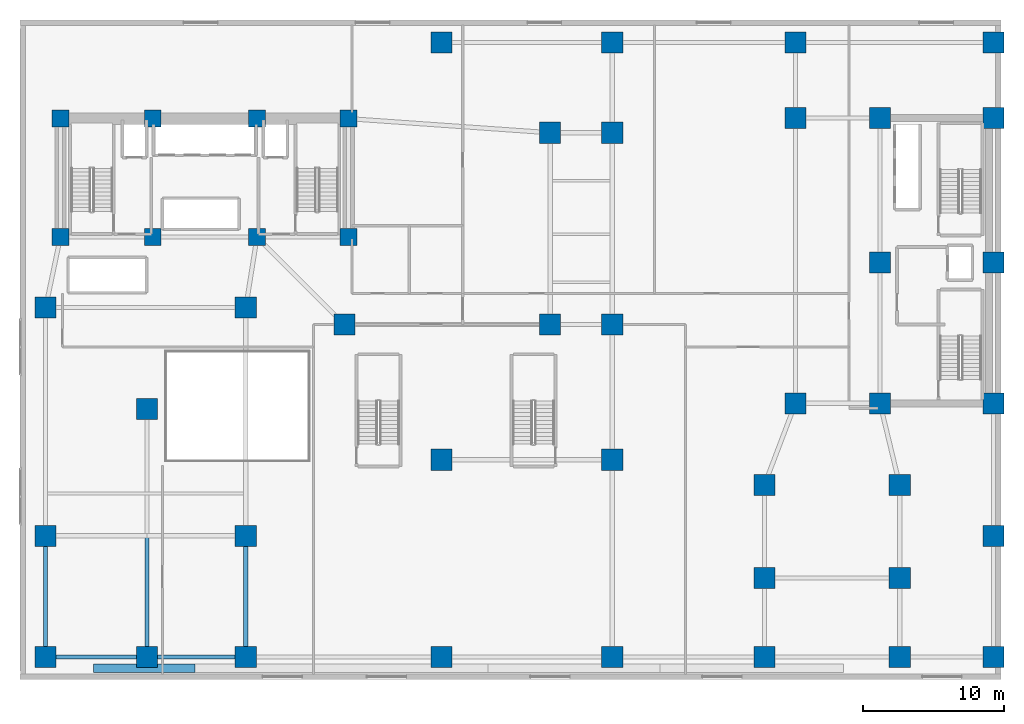
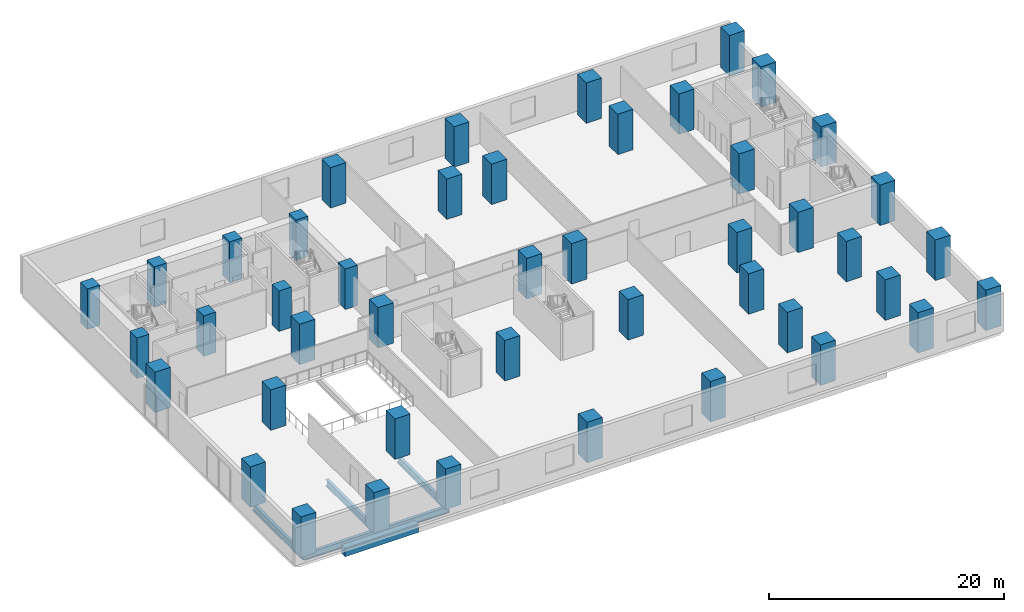
# One storey, part 1 of 14: 45 columns, 6 beams.
"""IFC4 building model written with IfcOpenShell, lengths in metres."""

import ifcopenshell
import ifcopenshell.guid

model = None  # the IFC model being written
_history = None  # IfcOwnerHistory: only IFC2X3 demands one
_inside = {}  # id of a spatial element -> (the spatial element, [elements in it])
_under = {}  # id of a project, library or spatial element -> (it, [spatial elements below it])
_declared = {}  # id of a project -> (the project, [libraries it declares])
_typed = {}  # id of a type object -> (the type object, [elements of that type])
_made_of = {}  # id of a material, layer set ... -> (it, [elements and type objects made of it])


def new_model(schema):
    """Start an empty IFC model of exactly this schema.

    Asked for "IFC4X3", IfcOpenShell would pick the latest addendum, in which some entities
    have other attributes; the version numbers below select the first issue.
    IFC2X3 requires an IfcOwnerHistory on every rooted entity: one is made here for all.
    """
    global model, _history
    if schema == "IFC4X3":
        model = ifcopenshell.file(schema_version=(4, 3, 0, 0))
    else:
        model = ifcopenshell.file(schema=schema)
    _inside.clear()
    _under.clear()
    _declared.clear()
    _typed.clear()
    _made_of.clear()
    _history = None
    if model.schema == "IFC2X3":
        org = make("IfcOrganization", Name="unknown")
        user = make(
            "IfcPersonAndOrganization",
            ThePerson=make("IfcPerson", FamilyName="unknown"),
            TheOrganization=org,
        )
        app = make(
            "IfcApplication",
            ApplicationDeveloper=org,
            Version="unknown",
            ApplicationFullName="unknown",
            ApplicationIdentifier="unknown",
        )
        _history = make(
            "IfcOwnerHistory",
            OwningUser=user,
            OwningApplication=app,
            ChangeAction="ADDED",
            CreationDate=0,
        )
    return model


def make(cls, **values):
    """One entity of the class cls with the attributes given. An attribute that is None is left unset."""
    return model.create_entity(
        cls, **{name: value for name, value in values.items() if value is not None}
    )


def rooted(cls, **values):
    """An entity with a GlobalId (a new one), such as an element, a storey or a relation."""
    return make(cls, GlobalId=ifcopenshell.guid.new(), OwnerHistory=_history, **values)


def si_unit(unit_type, name, prefix=None):
    """IfcSIUnit, for example si_unit("LENGTHUNIT", "METRE", prefix="MILLI")."""
    return make("IfcSIUnit", UnitType=unit_type, Prefix=prefix, Name=name)


def assignment(units):
    """IfcUnitAssignment: the units of a project."""
    return None if units is None else make("IfcUnitAssignment", Units=units)


def point(xyz):
    """IfcCartesianPoint."""
    return None if xyz is None else make("IfcCartesianPoint", Coordinates=xyz)


def direction(xyz):
    """IfcDirection."""
    return None if xyz is None else make("IfcDirection", DirectionRatios=xyz)


def frame(location, z_axis=None, x_axis=None):
    """IfcAxis2Placement3D, a coordinate frame: its origin and axes. An axis left out is left unset."""
    return make(
        "IfcAxis2Placement3D",
        Location=point(location),
        Axis=direction(z_axis),
        RefDirection=direction(x_axis),
    )


def frame_2d(location, x_axis=None):
    """IfcAxis2Placement2D, a coordinate frame in the plane: its origin and x axis."""
    return make(
        "IfcAxis2Placement2D", Location=point(location), RefDirection=direction(x_axis)
    )


def origin():
    """The frame at (0, 0, 0) with its axes left unset."""
    return frame((0.0, 0.0, 0.0))


def origin_2d():
    """The frame at (0, 0) in the plane with its x axis left unset."""
    return frame_2d((0.0, 0.0))


def place(relative_to, where):
    """IfcLocalPlacement: puts the frame where relative to a parent placement (None: the world)."""
    return make(
        "IfcLocalPlacement", PlacementRelTo=relative_to, RelativePlacement=where
    )


def context(
    kind, dimensions, precision=None, world=None, true_north=None, identifier=None
):
    """IfcGeometricRepresentationContext, for example the 3D "Model" context."""
    return make(
        "IfcGeometricRepresentationContext",
        ContextIdentifier=identifier,
        ContextType=kind,
        CoordinateSpaceDimension=dimensions,
        Precision=precision,
        WorldCoordinateSystem=world,
        TrueNorth=true_north,
    )


def subcontext(parent, identifier, kind, view, scale=None):
    """IfcGeometricRepresentationSubContext, for example "Body" below "Model"."""
    return make(
        "IfcGeometricRepresentationSubContext",
        ContextIdentifier=identifier,
        ContextType=kind,
        ParentContext=parent,
        TargetScale=scale,
        TargetView=view,
    )


def project(units=None, contexts=None):
    """IfcProject with its units and contexts."""
    return rooted(
        "IfcProject",
        Name="project",
        RepresentationContexts=contexts,
        UnitsInContext=assignment(units),
    )


def spatial(cls, under=None, at=None, **own):
    """A site, building, storey or space (cls), placed at a placement, below another one or the project."""
    s = rooted(cls, ObjectPlacement=at, **own)
    if under is not None:
        _under.setdefault(under.id(), (under, []))[1].append(s)
    return s


def profile(cls, at=None, kind="AREA", **sizes):
    """A parametric profile (cls). Its sizes go by their IFC names, for example OverallWidth=200.0."""
    return make(cls, ProfileType=kind, Position=at, **sizes)


def rectangle(**sizes):
    """IfcRectangleProfileDef."""
    return profile("IfcRectangleProfileDef", **sizes)


def i_section(**sizes):
    """IfcIShapeProfileDef."""
    return profile("IfcIShapeProfileDef", **sizes)


def extrude(swept, where, along, depth):
    """IfcExtrudedAreaSolid: the profile swept, set in the frame where, extruded along a direction by depth."""
    return make(
        "IfcExtrudedAreaSolid",
        SweptArea=swept,
        Position=where,
        ExtrudedDirection=direction(along),
        Depth=depth,
    )


def shape(context_of_items, identifier, shape_type, items):
    """IfcShapeRepresentation: the items that make up one representation, for example the "Body"."""
    return make(
        "IfcShapeRepresentation",
        ContextOfItems=context_of_items,
        RepresentationIdentifier=identifier,
        RepresentationType=shape_type,
        Items=items,
    )


def material(Name=None, Category=None):
    """IfcMaterial."""
    return make("IfcMaterial", Name=Name, Category=Category)


def material_profile(
    of_material, cross_section, Name=None, Category=None, Priority=None
):
    """IfcMaterialProfile: a cross section and its material."""
    return make(
        "IfcMaterialProfile",
        Name=Name,
        Material=of_material,
        Profile=cross_section,
        Priority=Priority,
        Category=Category,
    )


def profile_set(profiles, Name=None, composite=None):
    """IfcMaterialProfileSet."""
    return make(
        "IfcMaterialProfileSet",
        Name=Name,
        MaterialProfiles=profiles,
        CompositeProfile=composite,
    )


def made_of(thing, what):
    """Note that an element or type object is made of a material, layer set ...; save() writes the relation."""
    if what is not None:
        _made_of.setdefault(what.id(), (what, []))[1].append(thing)
    return thing


def type_object(cls, material=None, **own):
    """A type object (cls), such as IfcWallType, which elements share."""
    return made_of(rooted(cls, **own), material)


def element(
    cls,
    number,
    at=None,
    inside=None,
    cuts=None,
    type_object=None,
    material=None,
    context=None,
    identifier="Body",
    shape_type=None,
    held_by="IfcProductDefinitionShape",
    body=None,
    shapes=None,
    **own,
):
    """One element of the class cls, such as IfcWall. Its Tag is "e" and its number.

    at: its placement. inside: the storey or other place that contains it. cuts: it is an
    opening in that element (IfcRelVoidsElement). A single representation is given by context,
    identifier, shape_type and body (its items); several are given by shapes. held_by: the class
    of the entity that holds the representations. save() writes the other relations.
    """
    e = rooted(cls, Tag="e%d" % number, ObjectPlacement=at, **own)
    if body is not None:
        shapes = [shape(context, identifier, shape_type, body)]
    if shapes is not None:
        e.Representation = make(held_by, Representations=shapes)
    if inside is not None:
        _inside.setdefault(inside.id(), (inside, []))[1].append(e)
    if cuts is not None:
        rooted(
            "IfcRelVoidsElement", RelatingBuildingElement=cuts, RelatedOpeningElement=e
        )
    if type_object is not None:
        _typed.setdefault(type_object.id(), (type_object, []))[1].append(e)
    return made_of(e, material)


def aggregate(whole, parts):
    """IfcRelAggregates: a whole, such as a stair, and the parts it consists of."""
    return rooted("IfcRelAggregates", RelatingObject=whole, RelatedObjects=parts)


def save(model, path):
    """Write the relations noted so far, then the file.

    IfcRelAggregates (storeys below a building ...), IfcRelContainedInSpatialStructure (elements
    in a storey), IfcRelDefinesByType, IfcRelAssociatesMaterial and IfcRelDeclares: one each for
    every whole, place, type object, material and project.
    """
    for whole, parts in _under.values():
        aggregate(whole, parts)
    for where, things in _inside.values():
        rooted(
            "IfcRelContainedInSpatialStructure",
            RelatedElements=things,
            RelatingStructure=where,
        )
    for kind, things in _typed.values():
        rooted("IfcRelDefinesByType", RelatedObjects=things, RelatingType=kind)
    for what, things in _made_of.values():
        rooted("IfcRelAssociatesMaterial", RelatedObjects=things, RelatingMaterial=what)
    for by, libraries in _declared.values():
        rooted("IfcRelDeclares", RelatingContext=by, RelatedDefinitions=libraries)
    model.write(path)


model = new_model("IFC4")

# Units and contexts
model_context = context("Model", 3, precision=1e-05, world=origin(), true_north=direction((0.0, 1.0)))
body_context = subcontext(model_context, "Body", "Model", "MODEL_VIEW")
ifc_project = project(units=[si_unit("LENGTHUNIT", "METRE"), si_unit("AREAUNIT", "SQUARE_METRE"), si_unit("VOLUMEUNIT", "CUBIC_METRE"), si_unit("PLANEANGLEUNIT", "RADIAN"), si_unit("MASSUNIT", "GRAM", prefix="KILO")], contexts=[model_context])

# Site, building, storey
site_placement = place(None, origin())
site = spatial("IfcSite", under=ifc_project, at=site_placement, CompositionType="ELEMENT")
building_placement = place(site_placement, origin())
building = spatial("IfcBuilding", under=site, at=building_placement, Name="Kuzgunbayir Cultural Tower", CompositionType="ELEMENT")
storey_placement = place(building_placement, frame((0.0, 0.0, 8.800048828125)))
storey = spatial("IfcBuildingStorey", under=building, at=storey_placement, Name="L02", CompositionType="ELEMENT", Elevation=8.800048828125)

# Columns
ifc_material_1 = material(Name="Concrete C60/75", Category="concrete")
ifc_material_profile_1 = material_profile(ifc_material_1, rectangle(XDim=1.199951171875, YDim=1.199951171875, at=origin_2d()), Name="RC 1200x1200")
ifc_profile_set_1 = profile_set([ifc_material_profile_1], Name="Concrete C60/75")
column_type_1 = type_object("IfcColumnType", Name="COL-CORE-1200", PredefinedType="COLUMN", material=ifc_profile_set_1)
for number, where, z_axis, x_axis, name in (
    (1, (6.449951171875, 33.800048828125, 0.0), (0.0, 0.0, 1.0), (1.0, 0.0, 0.0), "L02 T1 Core Boundary Column CC1-1"),
    (2, (13.0, 33.800048828125, 0.0), (0.0, 0.0, 1.0), (1.0, 0.0, 0.0), "L02 T1 Core Boundary Column CC1-2"),
    (3, (20.39990234375, 33.800048828125, 0.0), (0.0, 0.0, 1.0), (1.0, 0.0, 0.0), "L02 T1 Core Boundary Column CC1-3"),
    (4, (26.89990234375, 33.800048828125, 0.0), (0.0, 0.0, 1.0), (1.0, 0.0, 0.0), "L02 T1 Core Boundary Column CC1-4"),
    (5, (6.449951171875, 42.199951171875, 0.0), (0.0, 0.0, 1.0), (1.0, 0.0, 0.0), "L02 T1 Core Boundary Column CC1-5"),
    (6, (13.0, 42.199951171875, 0.0), (0.0, 0.0, 1.0), (1.0, 0.0, 0.0), "L02 T1 Core Boundary Column CC1-6"),
    (7, (20.39990234375, 42.199951171875, 0.0), (0.0, 0.0, 1.0), (1.0, 0.0, 0.0), "L02 T1 Core Boundary Column CC1-7"),
    (8, (26.89990234375, 42.199951171875, 0.0), (0.0, 0.0, 1.0), (1.0, 0.0, 0.0), "L02 T1 Core Boundary Column CC1-8"),
):
    element("IfcColumn", number, at=place(storey_placement, frame(where, z_axis=z_axis, x_axis=x_axis)), inside=storey, type_object=column_type_1, Name=name, PredefinedType="COLUMN", context=body_context, shape_type="SweptSolid", body=[
        extrude(rectangle(XDim=1.199951171875, YDim=1.199951171875, at=origin_2d()), origin(), (0.0, 0.0, 1.0), 4.199951171875),
    ])
ifc_material_profile_2 = material_profile(ifc_material_1, rectangle(XDim=1.5, YDim=1.5, at=origin_2d()), Name="RC 1500x1500")
ifc_profile_set_2 = profile_set([ifc_material_profile_2], Name="Concrete C60/75")
column_type_2 = type_object("IfcColumnType", Name="COL-MEGA-1500", PredefinedType="COLUMN", material=ifc_profile_set_2)
for number, where, z_axis, x_axis, name in (
    (9, (64.60009765625, 22.0, 0.0), (0.0, 0.0, 1.0), (1.0, 0.0, 0.0), "L02 T2 Core Boundary Column CC2-1"),
    (10, (72.64990234375, 22.0, 0.0), (0.0, 0.0, 1.0), (1.0, 0.0, 0.0), "L02 T2 Core Boundary Column CC2-2"),
    (11, (64.60009765625, 32.0, 0.0), (0.0, 0.0, 1.0), (1.0, 0.0, 0.0), "L02 T2 Core Boundary Column CC2-3"),
    (12, (72.64990234375, 32.0, 0.0), (0.0, 0.0, 1.0), (1.0, 0.0, 0.0), "L02 T2 Core Boundary Column CC2-4"),
    (13, (64.60009765625, 42.25, 0.0), (0.0, 0.0, 1.0), (1.0, 0.0, 0.0), "L02 T2 Core Boundary Column CC2-5"),
    (14, (72.64990234375, 42.25, 0.0), (0.0, 0.0, 1.0), (1.0, 0.0, 0.0), "L02 T2 Core Boundary Column CC2-6"),
    (15, (5.39990234375, 12.60009765625, 0.0), (0.0, 0.0, 1.0), (1.0, 0.0, 0.0), "L02 Podium Mega-Column PC-T1A-SW"),
    (16, (19.60009765625, 12.60009765625, 0.0), (0.0, 0.0, 1.0), (1.0, 0.0, 0.0), "L02 Podium Mega-Column PC-T1A-SE"),
    (17, (5.39990234375, 28.800048828125, 0.0), (0.0, 0.0, 1.0), (1.0, 0.0, 0.0), "L02 Podium Mega-Column PC-T1A-NW"),
    (18, (19.60009765625, 28.800048828125, 0.0), (0.0, 0.0, 1.0), (1.0, 0.0, 0.0), "L02 Podium Mega-Column PC-T1A-NE"),
    (19, (26.60009765625, 27.60009765625, 0.0), (0.0, 0.0, 1.0), (1.0, 0.0, 0.0), "L02 Podium Mega-Column PC-T1B-1S"),
    (20, (41.199951171875, 27.60009765625, 0.0), (0.0, 0.0, 1.0), (1.0, 0.0, 0.0), "L02 Podium Mega-Column PC-T1B-4S"),
    (21, (45.60009765625, 27.60009765625, 0.0), (0.0, 0.0, 1.0), (1.0, 0.0, 0.0), "L02 Podium Mega-Column PC-T1B-5S"),
    (22, (41.199951171875, 41.199951171875, 0.0), (0.0, 0.0, 1.0), (1.0, 0.0, 0.0), "L02 Podium Mega-Column PC-T1B-4N"),
    (23, (45.60009765625, 41.199951171875, 0.0), (0.0, 0.0, 1.0), (1.0, 0.0, 0.0), "L02 Podium Mega-Column PC-T1B-5N"),
    (24, (58.60009765625, 22.0, 0.0), (0.0, 0.0, 1.0), (1.0, 0.0, 0.0), "L02 Podium Mega-Column PC-T2A-SW"),
    (25, (58.60009765625, 42.25, 0.0), (0.0, 0.0, 1.0), (1.0, 0.0, 0.0), "L02 Podium Mega-Column PC-T2A-NW"),
    (26, (56.39990234375, 9.60009765625, 0.0), (0.0, 0.0, 1.0), (1.0, 0.0, 0.0), "L02 Podium Mega-Column PC-T2B-SW"),
    (27, (66.0, 9.60009765625, 0.0), (0.0, 0.0, 1.0), (1.0, 0.0, 0.0), "L02 Podium Mega-Column PC-T2B-SE"),
    (28, (56.39990234375, 16.199951171875, 0.0), (0.0, 0.0, 1.0), (1.0, 0.0, 0.0), "L02 Podium Mega-Column PC-T2B-MW"),
    (29, (66.0, 16.199951171875, 0.0), (0.0, 0.0, 1.0), (1.0, 0.0, 0.0), "L02 Podium Mega-Column PC-T2B-ME"),
    (30, (5.39990234375, 4.0, 0.0), (0.0, 0.0, 1.0), (1.0, 0.0, 0.0), "L02 Podium Mega-Column PC-P01"),
    (31, (12.60009765625, 4.0, 0.0), (0.0, 0.0, 1.0), (1.0, 0.0, 0.0), "L02 Podium Mega-Column PC-P02"),
    (32, (19.60009765625, 4.0, 0.0), (0.0, 0.0, 1.0), (1.0, 0.0, 0.0), "L02 Podium Mega-Column PC-P03"),
    (33, (33.5, 4.0, 0.0), (0.0, 0.0, 1.0), (1.0, 0.0, 0.0), "L02 Podium Mega-Column PC-P04"),
    (34, (45.60009765625, 4.0, 0.0), (0.0, 0.0, 1.0), (1.0, 0.0, 0.0), "L02 Podium Mega-Column PC-P05"),
    (35, (56.39990234375, 4.0, 0.0), (0.0, 0.0, 1.0), (1.0, 0.0, 0.0), "L02 Podium Mega-Column PC-P06"),
    (36, (66.0, 4.0, 0.0), (0.0, 0.0, 1.0), (1.0, 0.0, 0.0), "L02 Podium Mega-Column PC-P07"),
    (37, (72.64990234375, 4.0, 0.0), (0.0, 0.0, 1.0), (1.0, 0.0, 0.0), "L02 Podium Mega-Column PC-P08"),
    (38, (12.60009765625, 21.60009765625, 0.0), (0.0, 0.0, 1.0), (1.0, 0.0, 0.0), "L02 Podium Mega-Column PC-P09"),
    (39, (33.5, 18.0, 0.0), (0.0, 0.0, 1.0), (1.0, 0.0, 0.0), "L02 Podium Mega-Column PC-P10"),
    (40, (45.60009765625, 18.0, 0.0), (0.0, 0.0, 1.0), (1.0, 0.0, 0.0), "L02 Podium Mega-Column PC-P11"),
    (41, (72.64990234375, 12.60009765625, 0.0), (0.0, 0.0, 1.0), (1.0, 0.0, 0.0), "L02 Podium Mega-Column PC-P12"),
    (42, (33.5, 47.60009765625, 0.0), (0.0, 0.0, 1.0), (1.0, 0.0, 0.0), "L02 Podium Mega-Column PC-P13"),
    (43, (45.60009765625, 47.60009765625, 0.0), (0.0, 0.0, 1.0), (1.0, 0.0, 0.0), "L02 Podium Mega-Column PC-P14"),
    (44, (58.60009765625, 47.60009765625, 0.0), (0.0, 0.0, 1.0), (1.0, 0.0, 0.0), "L02 Podium Mega-Column PC-P15"),
    (45, (72.64990234375, 47.60009765625, 0.0), (0.0, 0.0, 1.0), (1.0, 0.0, 0.0), "L02 Podium Mega-Column PC-P16"),
):
    element("IfcColumn", number, at=place(storey_placement, frame(where, z_axis=z_axis, x_axis=x_axis)), inside=storey, type_object=column_type_2, Name=name, PredefinedType="COLUMN", context=body_context, shape_type="SweptSolid", body=[
        extrude(rectangle(XDim=1.5, YDim=1.5, at=origin_2d()), origin(), (0.0, 0.0, 1.0), 4.199951171875),
    ])

# Beams
ifc_material_2 = material(Name="Steel S355J2", Category="steel")
ifc_material_profile_3 = material_profile(ifc_material_2, i_section(OverallWidth=0.300048828125, OverallDepth=0.699951171875, WebThickness=0.01708984375, FlangeThickness=0.031982421875, FilletRadius=0.027099609375, at=origin_2d()), Name="HEB 700")
ifc_profile_set_3 = profile_set([ifc_material_profile_3], Name="Steel S355J2")
beam_type_1 = type_object("IfcBeamType", Name="BM-GIR-HEB700", PredefinedType="BEAM", material=ifc_profile_set_3)
beam_1_placement = place(storey_placement, frame((5.39990234375, 4.0, -0.60009765625), z_axis=(1.0, 0.0, 0.0), x_axis=(0.0, 1.0, 0.0)))
element("IfcBeam", 46, at=beam_1_placement, inside=storey, type_object=beam_type_1, Name="L02 Podium South Girder 1", PredefinedType="BEAM", context=body_context, shape_type="SweptSolid", body=[
    extrude(i_section(OverallWidth=0.300048828125, OverallDepth=0.699951171875, WebThickness=0.01708984375, FlangeThickness=0.031982421875, FilletRadius=0.027099609375, at=origin_2d()), origin(), (0.0, 0.0, 1.0), 7.2001953125),
])
beam_2_placement = place(storey_placement, frame((12.60009765625, 4.0, -0.60009765625), z_axis=(1.0, 0.0, 0.0), x_axis=(0.0, 1.0, 0.0)))
element("IfcBeam", 47, at=beam_2_placement, inside=storey, type_object=beam_type_1, Name="L02 Podium South Girder 2", PredefinedType="BEAM", context=body_context, shape_type="SweptSolid", body=[
    extrude(i_section(OverallWidth=0.300048828125, OverallDepth=0.699951171875, WebThickness=0.01708984375, FlangeThickness=0.031982421875, FilletRadius=0.027099609375, at=origin_2d()), origin(), (0.0, 0.0, 1.0), 7.0),
])
for number, where, z_axis, x_axis, name in (
    (48, (5.39990234375, 4.0, -0.60009765625), (0.0, 1.0, 0.0), (-1.0, 0.0, 0.0), "L02 Podium Primary Girder 33"),
    (49, (12.60009765625, 4.0, -0.60009765625), (0.0, 1.0, 0.0), (-1.0, 0.0, 0.0), "L02 Podium Primary Girder 34"),
    (50, (19.60009765625, 4.0, -0.60009765625), (0.0, 1.0, 0.0), (-1.0, 0.0, 0.0), "L02 Podium Primary Girder 35"),
):
    element("IfcBeam", number, at=place(storey_placement, frame(where, z_axis=z_axis, x_axis=x_axis)), inside=storey, type_object=beam_type_1, Name=name, PredefinedType="BEAM", context=body_context, shape_type="SweptSolid", body=[
        extrude(i_section(OverallWidth=0.300048828125, OverallDepth=0.699951171875, WebThickness=0.01708984375, FlangeThickness=0.031982421875, FilletRadius=0.027099609375, at=origin_2d()), origin(), (0.0, 0.0, 1.0), 8.60009765625),
    ])
ifc_material_3 = material(Name="Concrete C40/50", Category="concrete")
ifc_material_profile_4 = material_profile(ifc_material_3, rectangle(XDim=0.60009765625, YDim=0.89990234375, at=origin_2d()), Name="RC 600x900")
ifc_profile_set_4 = profile_set([ifc_material_profile_4], Name="Concrete C40/50")
beam_type_2 = type_object("IfcBeamType", Name="BM-SPN-RC600x900", PredefinedType="SPANDREL", material=ifc_profile_set_4)
beam_3_placement = place(storey_placement, frame((8.800048828125, 3.199951171875, -0.699951171875), z_axis=(1.0, 0.0, 0.0), x_axis=(0.0, 1.0, 0.0)))
element("IfcBeam", 51, at=beam_3_placement, inside=storey, type_object=beam_type_2, Name="L02 South Edge Girder 1", PredefinedType="SPANDREL", context=body_context, shape_type="SweptSolid", body=[
    extrude(rectangle(XDim=0.60009765625, YDim=0.89990234375, at=origin_2d()), origin(), (0.0, 0.0, 1.0), 7.199951171875),
])

save(model, "model.ifc")
